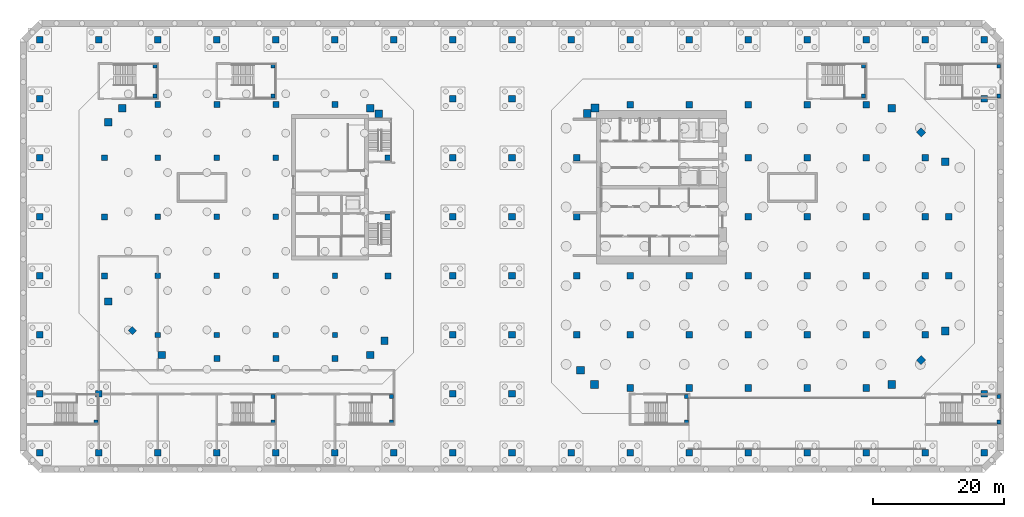
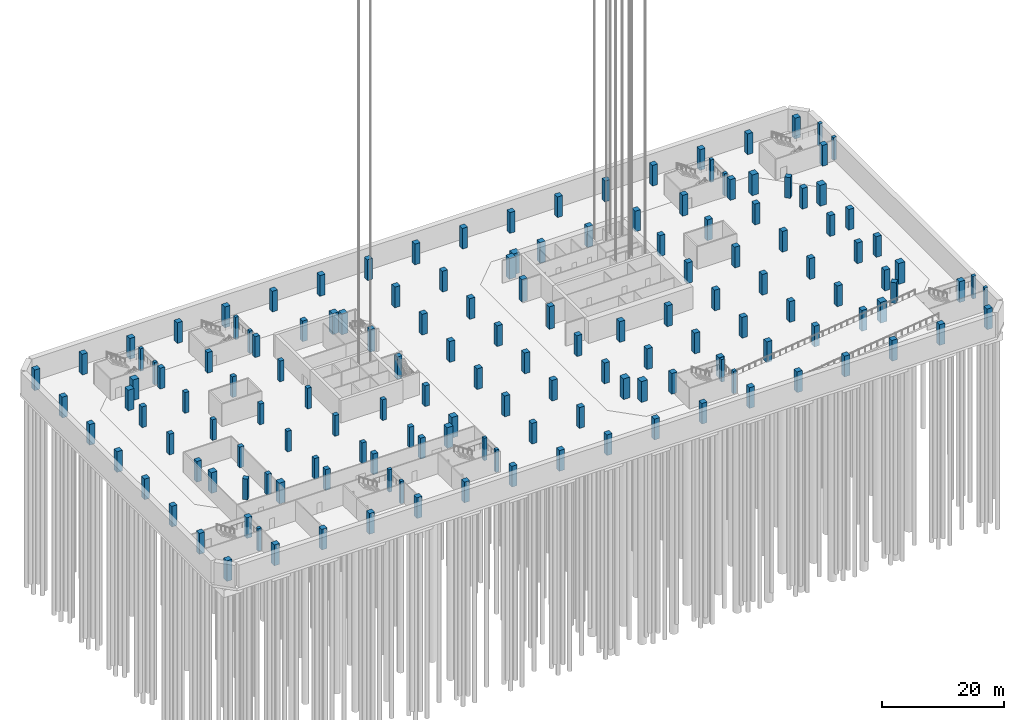
# One storey, part 3 of 30: 154 columns.
"""IFC4 building model written with IfcOpenShell, lengths in metres."""

from ifc_helpers import new_model, si_unit, direction, frame, origin, origin_2d, place, context, subcontext, project, spatial, rectangle, extrude, material, material_profile, profile_set, type_object, element, save


model = new_model("IFC4")

# Units and contexts
model_context = context("Model", 3, precision=1e-05, world=origin(), true_north=direction((0.0, 1.0)))
body_context = subcontext(model_context, "Body", "Model", "MODEL_VIEW")
ifc_project = project(units=[si_unit("LENGTHUNIT", "METRE"), si_unit("AREAUNIT", "SQUARE_METRE"), si_unit("VOLUMEUNIT", "CUBIC_METRE"), si_unit("PLANEANGLEUNIT", "RADIAN"), si_unit("MASSUNIT", "GRAM", prefix="KILO")], contexts=[model_context])

# Site, building, storey
site_placement = place(None, origin())
site = spatial("IfcSite", under=ifc_project, at=site_placement, CompositionType="ELEMENT")
building_placement = place(site_placement, origin())
building = spatial("IfcBuilding", under=site, at=building_placement, Name="Cinnabar Reach Civic Tower", CompositionType="ELEMENT")
storey_placement = place(building_placement, frame((0.0, 0.0, -14.0)))
storey = spatial("IfcBuildingStorey", under=building, at=storey_placement, Name="B3", CompositionType="ELEMENT", Elevation=-14.0)

# Columns
ifc_material_1 = material(Name="Concrete C70", Category="concrete")
ifc_material_profile_1 = material_profile(ifc_material_1, rectangle(XDim=1.0, YDim=1.0, at=origin_2d()), Name="RC1000")
ifc_profile_set_1 = profile_set([ifc_material_profile_1], Name="Concrete C70")
column_type_1 = type_object("IfcColumnType", Name="RC1000 column R 240", PredefinedType="COLUMN", material=ifc_profile_set_1)
for number, where, z_axis, x_axis, name in (
    (1, (9.0, 0.9, 0.0), (0.0, 0.0, 1.0), (1.0, 0.0, 0.0), "Column T1-Z1-F0-1"),
    (2, (18.0, 0.9, 0.0), (0.0, 0.0, 1.0), (1.0, 0.0, 0.0), "Column T1-Z1-F0-2"),
    (3, (27.0, 0.9, 0.0), (0.0, 0.0, 1.0), (1.0, 0.0, 0.0), "Column T1-Z1-F0-3"),
    (4, (36.0, 0.9, 0.0), (0.0, 0.0, 1.0), (1.0, 0.0, 0.0), "Column T1-Z1-F0-4"),
    (5, (45.0, 0.9, 0.0), (0.0, 0.0, 1.0), (1.0, 0.0, 0.0), "Column T1-Z1-F0-5"),
    (6, (53.3636, 5.1364, 0.0), (0.0, 0.0, 1.0), (0.707106781187, 0.707106781187, 0.0), "Column T1-Z1-F1-M"),
    (7, (57.6, 18.0, 0.0), (0.0, 0.0, 1.0), (1.0, 0.0, 0.0), "Column T1-Z1-F2-2"),
    (8, (57.6, 27.0, 0.0), (0.0, 0.0, 1.0), (1.0, 0.0, 0.0), "Column T1-Z1-F2-3"),
    (9, (53.3636, 39.8636, 0.0), (0.0, 0.0, 1.0), (0.707106781187, 0.707106781187, 0.0), "Column T1-Z1-F3-M"),
    (10, (9.0, 44.1, 0.0), (0.0, 0.0, 1.0), (1.0, 0.0, 0.0), "Column T1-Z1-F4-1"),
    (11, (18.0, 44.1, 0.0), (0.0, 0.0, 1.0), (1.0, 0.0, 0.0), "Column T1-Z1-F4-2"),
    (12, (27.0, 44.1, 0.0), (0.0, 0.0, 1.0), (1.0, 0.0, 0.0), "Column T1-Z1-F4-3"),
    (13, (36.0, 44.1, 0.0), (0.0, 0.0, 1.0), (1.0, 0.0, 0.0), "Column T1-Z1-F4-4"),
    (14, (45.0, 44.1, 0.0), (0.0, 0.0, 1.0), (1.0, 0.0, 0.0), "Column T1-Z1-F4-5"),
    (15, (0.9, 9.0, 0.0), (0.0, 0.0, 1.0), (1.0, 0.0, 0.0), "Column T1-Z1-F6-1"),
    (16, (0.9, 18.0, 0.0), (0.0, 0.0, 1.0), (1.0, 0.0, 0.0), "Column T1-Z1-F6-2"),
):
    element("IfcColumn", number, at=place(storey_placement, frame(where, z_axis=z_axis, x_axis=x_axis)), inside=storey, type_object=column_type_1, Name=name, PredefinedType="COLUMN", context=body_context, shape_type="SweptSolid", body=[
        extrude(rectangle(XDim=1.0, YDim=1.0, at=origin_2d()), origin(), (0.0, 0.0, 1.0), 4.15),
    ])
for number, where, z_axis, x_axis, name in (
    (17, (0.9, 27.0, 0.0), (0.0, 0.0, 1.0), (1.0, 0.0, 0.0), "Column T1-Z1-F6-3"),
    (18, (0.9, 36.0, 0.0), (0.0, 0.0, 1.0), (1.0, 0.0, 0.0), "Column T1-Z1-F6-4"),
):
    element("IfcColumn", number, at=place(storey_placement, frame(where, z_axis=z_axis, x_axis=x_axis)), inside=storey, type_object=column_type_1, Name=name, PredefinedType="COLUMN", context=body_context, shape_type="SweptSolid", body=[
        extrude(rectangle(XDim=1.0, YDim=1.0, at=origin_2d()), origin(), (0.0, 0.0, 1.0), 4.5),
    ])
for number, where, z_axis, x_axis, name in (
    (19, (9.0, 9.0, 0.0), (0.0, 0.0, 1.0), (1.0, 0.0, 0.0), "Column T1-Z1-I9_9"),
    (20, (9.0, 18.0, 0.0), (0.0, 0.0, 1.0), (1.0, 0.0, 0.0), "Column T1-Z1-I9_18"),
    (21, (18.0, 9.0, 0.0), (0.0, 0.0, 1.0), (1.0, 0.0, 0.0), "Column T1-Z1-I18_9"),
    (22, (18.0, 18.0, 0.0), (0.0, 0.0, 1.0), (1.0, 0.0, 0.0), "Column T1-Z1-I18_18"),
    (23, (27.0, 9.0, 0.0), (0.0, 0.0, 1.0), (1.0, 0.0, 0.0), "Column T1-Z1-I27_9"),
    (24, (27.0, 18.0, 0.0), (0.0, 0.0, 1.0), (1.0, 0.0, 0.0), "Column T1-Z1-I27_18"),
    (25, (27.0, 27.0, 0.0), (0.0, 0.0, 1.0), (1.0, 0.0, 0.0), "Column T1-Z1-I27_27"),
    (26, (27.0, 36.0, 0.0), (0.0, 0.0, 1.0), (1.0, 0.0, 0.0), "Column T1-Z1-I27_36"),
    (27, (36.0, 9.0, 0.0), (0.0, 0.0, 1.0), (1.0, 0.0, 0.0), "Column T1-Z1-I36_9"),
    (28, (36.0, 18.0, 0.0), (0.0, 0.0, 1.0), (1.0, 0.0, 0.0), "Column T1-Z1-I36_18"),
    (29, (36.0, 27.0, 0.0), (0.0, 0.0, 1.0), (1.0, 0.0, 0.0), "Column T1-Z1-I36_27"),
    (30, (36.0, 36.0, 0.0), (0.0, 0.0, 1.0), (1.0, 0.0, 0.0), "Column T1-Z1-I36_36"),
    (31, (45.0, 9.0, 0.0), (0.0, 0.0, 1.0), (1.0, 0.0, 0.0), "Column T1-Z1-I45_9"),
    (32, (45.0, 18.0, 0.0), (0.0, 0.0, 1.0), (1.0, 0.0, 0.0), "Column T1-Z1-I45_18"),
    (33, (45.0, 27.0, 0.0), (0.0, 0.0, 1.0), (1.0, 0.0, 0.0), "Column T1-Z1-I45_27"),
    (34, (45.0, 36.0, 0.0), (0.0, 0.0, 1.0), (1.0, 0.0, 0.0), "Column T1-Z1-I45_36"),
    (35, (54.0, 9.0, 0.0), (0.0, 0.0, 1.0), (1.0, 0.0, 0.0), "Column T1-Z1-I54_9"),
    (36, (54.0, 18.0, 0.0), (0.0, 0.0, 1.0), (1.0, 0.0, 0.0), "Column T1-Z1-I54_18"),
    (37, (54.0, 27.0, 0.0), (0.0, 0.0, 1.0), (1.0, 0.0, 0.0), "Column T1-Z1-I54_27"),
    (38, (54.0, 36.0, 0.0), (0.0, 0.0, 1.0), (1.0, 0.0, 0.0), "Column T1-Z1-I54_36"),
    (39, (-81.0, -9.0, 0.0), (0.0, 0.0, 1.0), (1.0, 0.0, 0.0), "Column -81/-9 B3"),
    (40, (-81.0, 0.0, 0.0), (0.0, 0.0, 1.0), (1.0, 0.0, 0.0), "Column -81/0 B3"),
    (41, (-81.0, 9.0, 0.0), (0.0, 0.0, 1.0), (1.0, 0.0, 0.0), "Column -81/9 B3"),
    (42, (-81.0, 18.0, 0.0), (0.0, 0.0, 1.0), (1.0, 0.0, 0.0), "Column -81/18 B3"),
    (43, (-81.0, 27.0, 0.0), (0.0, 0.0, 1.0), (1.0, 0.0, 0.0), "Column -81/27 B3"),
    (44, (-81.0, 36.0, 0.0), (0.0, 0.0, 1.0), (1.0, 0.0, 0.0), "Column -81/36 B3"),
    (45, (-81.0, 45.0, 0.0), (0.0, 0.0, 1.0), (1.0, 0.0, 0.0), "Column -81/45 B3"),
    (46, (-81.0, 54.0, 0.0), (0.0, 0.0, 1.0), (1.0, 0.0, 0.0), "Column -81/54 B3"),
    (47, (-72.0, -9.0, 0.0), (0.0, 0.0, 1.0), (1.0, 0.0, 0.0), "Column -72/-9 B3"),
    (48, (-72.0, 0.0, 0.0), (0.0, 0.0, 1.0), (1.0, 0.0, 0.0), "Column -72/0 B3"),
    (49, (-72.0, 54.0, 0.0), (0.0, 0.0, 1.0), (1.0, 0.0, 0.0), "Column -72/54 B3"),
    (50, (-63.0, -9.0, 0.0), (0.0, 0.0, 1.0), (1.0, 0.0, 0.0), "Column -63/-9 B3"),
    (51, (-63.0, 54.0, 0.0), (0.0, 0.0, 1.0), (1.0, 0.0, 0.0), "Column -63/54 B3"),
    (52, (-54.0, -9.0, 0.0), (0.0, 0.0, 1.0), (1.0, 0.0, 0.0), "Column -54/-9 B3"),
    (53, (-54.0, 54.0, 0.0), (0.0, 0.0, 1.0), (1.0, 0.0, 0.0), "Column -54/54 B3"),
    (54, (-45.0, -9.0, 0.0), (0.0, 0.0, 1.0), (1.0, 0.0, 0.0), "Column -45/-9 B3"),
    (55, (-45.0, 54.0, 0.0), (0.0, 0.0, 1.0), (1.0, 0.0, 0.0), "Column -45/54 B3"),
    (56, (-36.0, -9.0, 0.0), (0.0, 0.0, 1.0), (1.0, 0.0, 0.0), "Column -36/-9 B3"),
    (57, (-36.0, 54.0, 0.0), (0.0, 0.0, 1.0), (1.0, 0.0, 0.0), "Column -36/54 B3"),
    (58, (-27.0, -9.0, 0.0), (0.0, 0.0, 1.0), (1.0, 0.0, 0.0), "Column -27/-9 B3"),
    (59, (-27.0, 54.0, 0.0), (0.0, 0.0, 1.0), (1.0, 0.0, 0.0), "Column -27/54 B3"),
    (60, (-18.0, -9.0, 0.0), (0.0, 0.0, 1.0), (1.0, 0.0, 0.0), "Column -18/-9 B3"),
    (61, (-18.0, 0.0, 0.0), (0.0, 0.0, 1.0), (1.0, 0.0, 0.0), "Column -18/0 B3"),
    (62, (-18.0, 9.0, 0.0), (0.0, 0.0, 1.0), (1.0, 0.0, 0.0), "Column -18/9 B3"),
    (63, (-18.0, 18.0, 0.0), (0.0, 0.0, 1.0), (1.0, 0.0, 0.0), "Column -18/18 B3"),
    (64, (-18.0, 27.0, 0.0), (0.0, 0.0, 1.0), (1.0, 0.0, 0.0), "Column -18/27 B3"),
    (65, (-18.0, 36.0, 0.0), (0.0, 0.0, 1.0), (1.0, 0.0, 0.0), "Column -18/36 B3"),
    (66, (-18.0, 45.0, 0.0), (0.0, 0.0, 1.0), (1.0, 0.0, 0.0), "Column -18/45 B3"),
    (67, (-18.0, 54.0, 0.0), (0.0, 0.0, 1.0), (1.0, 0.0, 0.0), "Column -18/54 B3"),
    (68, (-9.0, -9.0, 0.0), (0.0, 0.0, 1.0), (1.0, 0.0, 0.0), "Column -9/-9 B3"),
    (69, (-9.0, 0.0, 0.0), (0.0, 0.0, 1.0), (1.0, 0.0, 0.0), "Column -9/0 B3"),
    (70, (-9.0, 9.0, 0.0), (0.0, 0.0, 1.0), (1.0, 0.0, 0.0), "Column -9/9 B3"),
    (71, (-9.0, 18.0, 0.0), (0.0, 0.0, 1.0), (1.0, 0.0, 0.0), "Column -9/18 B3"),
    (72, (-9.0, 27.0, 0.0), (0.0, 0.0, 1.0), (1.0, 0.0, 0.0), "Column -9/27 B3"),
    (73, (-9.0, 36.0, 0.0), (0.0, 0.0, 1.0), (1.0, 0.0, 0.0), "Column -9/36 B3"),
    (74, (-9.0, 45.0, 0.0), (0.0, 0.0, 1.0), (1.0, 0.0, 0.0), "Column -9/45 B3"),
    (75, (-9.0, 54.0, 0.0), (0.0, 0.0, 1.0), (1.0, 0.0, 0.0), "Column -9/54 B3"),
    (76, (0.0, -9.0, 0.0), (0.0, 0.0, 1.0), (1.0, 0.0, 0.0), "Column 0/-9 B3"),
    (77, (0.0, 54.0, 0.0), (0.0, 0.0, 1.0), (1.0, 0.0, 0.0), "Column 0/54 B3"),
    (78, (9.0, -9.0, 0.0), (0.0, 0.0, 1.0), (1.0, 0.0, 0.0), "Column 9/-9 B3"),
    (79, (9.0, 54.0, 0.0), (0.0, 0.0, 1.0), (1.0, 0.0, 0.0), "Column 9/54 B3"),
    (80, (18.0, -9.0, 0.0), (0.0, 0.0, 1.0), (1.0, 0.0, 0.0), "Column 18/-9 B3"),
    (81, (18.0, 54.0, 0.0), (0.0, 0.0, 1.0), (1.0, 0.0, 0.0), "Column 18/54 B3"),
    (82, (27.0, -9.0, 0.0), (0.0, 0.0, 1.0), (1.0, 0.0, 0.0), "Column 27/-9 B3"),
    (83, (27.0, 54.0, 0.0), (0.0, 0.0, 1.0), (1.0, 0.0, 0.0), "Column 27/54 B3"),
    (84, (36.0, -9.0, 0.0), (0.0, 0.0, 1.0), (1.0, 0.0, 0.0), "Column 36/-9 B3"),
    (85, (36.0, 54.0, 0.0), (0.0, 0.0, 1.0), (1.0, 0.0, 0.0), "Column 36/54 B3"),
    (86, (45.0, -9.0, 0.0), (0.0, 0.0, 1.0), (1.0, 0.0, 0.0), "Column 45/-9 B3"),
    (87, (45.0, 54.0, 0.0), (0.0, 0.0, 1.0), (1.0, 0.0, 0.0), "Column 45/54 B3"),
    (88, (54.0, -9.0, 0.0), (0.0, 0.0, 1.0), (1.0, 0.0, 0.0), "Column 54/-9 B3"),
    (89, (54.0, 54.0, 0.0), (0.0, 0.0, 1.0), (1.0, 0.0, 0.0), "Column 54/54 B3"),
    (90, (63.0, -9.0, 0.0), (0.0, 0.0, 1.0), (1.0, 0.0, 0.0), "Column 63/-9 B3"),
    (91, (63.0, 0.0, 0.0), (0.0, 0.0, 1.0), (1.0, 0.0, 0.0), "Column 63/0 B3"),
    (92, (63.0, 45.0, 0.0), (0.0, 0.0, 1.0), (1.0, 0.0, 0.0), "Column 63/45 B3"),
    (93, (63.0, 54.0, 0.0), (0.0, 0.0, 1.0), (1.0, 0.0, 0.0), "Column 63/54 B3"),
):
    element("IfcColumn", number, at=place(storey_placement, frame(where, z_axis=z_axis, x_axis=x_axis)), inside=storey, type_object=column_type_1, Name=name, PredefinedType="COLUMN", context=body_context, shape_type="SweptSolid", body=[
        extrude(rectangle(XDim=1.0, YDim=1.0, at=origin_2d()), origin(), (0.0, 0.0, 1.0), 4.15),
    ])
ifc_material_2 = material(Name="Concrete C80", Category="concrete")
ifc_material_profile_2 = material_profile(ifc_material_2, rectangle(XDim=1.1, YDim=1.1, at=origin_2d()), Name="RC1100")
ifc_profile_set_2 = profile_set([ifc_material_profile_2], Name="Concrete C80")
column_type_2 = type_object("IfcColumnType", Name="RC1100 column R 180", PredefinedType="COLUMN", material=ifc_profile_set_2)
for number, where, z_axis, x_axis, name in (
    (94, (-62.3981, 5.9531, 0.0), (0.0, 0.0, 1.0), (1.0, 0.0, 0.0), "Column T2-Z1-CC0"),
    (95, (-30.6019, 5.9531, 0.0), (0.0, 0.0, 1.0), (1.0, 0.0, 0.0), "Column T2-Z1-CC1"),
    (96, (-28.4531, 8.1019, 0.0), (0.0, 0.0, 1.0), (1.0, 0.0, 0.0), "Column T2-Z1-CC2"),
    (97, (-29.3131, 42.7, 0.0), (0.0, 0.0, 1.0), (1.0, 0.0, 0.0), "Column T2-Z1-CC3"),
    (98, (-30.6019, 43.5469, 0.0), (0.0, 0.0, 1.0), (1.0, 0.0, 0.0), "Column T2-Z1-CC4"),
    (99, (-68.3981, 43.5469, 0.0), (0.0, 0.0, 1.0), (1.0, 0.0, 0.0), "Column T2-Z1-CC5"),
    (100, (-70.5469, 41.3981, 0.0), (0.0, 0.0, 1.0), (1.0, 0.0, 0.0), "Column T2-Z1-CC6"),
    (101, (-70.5469, 14.1019, 0.0), (0.0, 0.0, 1.0), (1.0, 0.0, 0.0), "Column T2-Z1-CC7"),
):
    element("IfcColumn", number, at=place(storey_placement, frame(where, z_axis=z_axis, x_axis=x_axis)), inside=storey, type_object=column_type_2, Name=name, PredefinedType="COLUMN", context=body_context, shape_type="SweptSolid", body=[
        extrude(rectangle(XDim=1.1, YDim=1.1, at=origin_2d()), origin(), (0.0, 0.0, 1.0), 4.15),
    ])
ifc_material_profile_3 = material_profile(ifc_material_2, rectangle(XDim=1.2, YDim=1.2, at=origin_2d()), Name="RC1200")
ifc_profile_set_3 = profile_set([ifc_material_profile_3], Name="Concrete C80")
column_type_3 = type_object("IfcColumnType", Name="RC1200 column R 240", PredefinedType="COLUMN", material=ifc_profile_set_3)
for number, where, z_axis, x_axis, name in (
    (102, (3.6019, 1.4531, 0.0), (0.0, 0.0, 1.0), (1.0, 0.0, 0.0), "Column T1-Z1-CC0"),
    (103, (48.8981, 1.4531, 0.0), (0.0, 0.0, 1.0), (1.0, 0.0, 0.0), "Column T1-Z1-CC1"),
    (104, (57.0469, 9.6019, 0.0), (0.0, 0.0, 1.0), (1.0, 0.0, 0.0), "Column T1-Z1-CC2"),
    (105, (57.0469, 35.3981, 0.0), (0.0, 0.0, 1.0), (1.0, 0.0, 0.0), "Column T1-Z1-CC3"),
    (106, (48.8981, 43.5469, 0.0), (0.0, 0.0, 1.0), (1.0, 0.0, 0.0), "Column T1-Z1-CC4"),
    (107, (3.6666, 43.5737, 0.0), (0.0, 0.0, 1.0), (1.0, 0.0, 0.0), "Column T1-Z1-CC5"),
    (108, (2.4631, 42.75, 0.0), (0.0, 0.0, 1.0), (1.0, 0.0, 0.0), "Column T1-Z1-CC6"),
    (109, (1.4531, 3.6019, 0.0), (0.0, 0.0, 1.0), (1.0, 0.0, 0.0), "Column T1-Z1-CC7"),
):
    element("IfcColumn", number, at=place(storey_placement, frame(where, z_axis=z_axis, x_axis=x_axis)), inside=storey, type_object=column_type_3, Name=name, PredefinedType="COLUMN", context=body_context, shape_type="SweptSolid", body=[
        extrude(rectangle(XDim=1.2, YDim=1.2, at=origin_2d()), origin(), (0.0, 0.0, 1.0), 4.15),
    ])
ifc_material_3 = material(Name="Concrete C60", Category="concrete")
ifc_material_profile_4 = material_profile(ifc_material_3, rectangle(XDim=0.6, YDim=0.6, at=origin_2d()), Name="RC600")
ifc_profile_set_4 = profile_set([ifc_material_profile_4], Name="Concrete C60")
column_type_4 = type_object("IfcColumnType", Name="RC600 landing post R 240", PredefinedType="COLUMN", material=ifc_profile_set_4)
for number, where, z_axis, x_axis, name in (
    (110, (-72.4, -4.25, 0.0), (0.0, 0.0, 1.0), (1.0, 0.0, 0.0), "Landing post PS1 B3 1"),
    (111, (-63.4, 49.95, 0.0), (0.0, 0.0, 1.0), (1.0, 0.0, 0.0), "Landing post PS2 B3 1"),
    (112, (-63.4, 45.4, 0.0), (0.0, 0.0, 1.0), (1.0, 0.0, 0.0), "Landing post PS2 B3 2"),
    (113, (17.6, -4.25, 0.0), (0.0, 0.0, 1.0), (1.0, 0.0, 0.0), "Landing post PS3 B3 1"),
    (114, (17.6, -0.4, 0.0), (0.0, 0.0, 1.0), (1.0, 0.0, 0.0), "Landing post PS3 B3 2"),
    (115, (65.2, -4.25, 0.0), (0.0, 0.0, 1.0), (1.0, 0.0, 0.0), "Landing post PS4 B3 1"),
    (116, (65.2, -0.4, 0.0), (0.0, 0.0, 1.0), (1.0, 0.0, 0.0), "Landing post PS4 B3 2"),
    (117, (65.2, 49.95, 0.0), (0.0, 0.0, 1.0), (1.0, 0.0, 0.0), "Landing post PS5 B3 1"),
    (118, (65.2, 45.4, 0.0), (0.0, 0.0, 1.0), (1.0, 0.0, 0.0), "Landing post PS5 B3 2"),
    (119, (44.6, 49.95, 0.0), (0.0, 0.0, 1.0), (1.0, 0.0, 0.0), "Landing post PS6 B3 1"),
    (120, (44.6, 45.4, 0.0), (0.0, 0.0, 1.0), (1.0, 0.0, 0.0), "Landing post PS6 B3 2"),
    (121, (-45.4, 49.95, 0.0), (0.0, 0.0, 1.0), (1.0, 0.0, 0.0), "Landing post PS7 B3 1"),
    (122, (-45.4, 45.4, 0.0), (0.0, 0.0, 1.0), (1.0, 0.0, 0.0), "Landing post PS7 B3 2"),
    (123, (-45.4, -4.25, 0.0), (0.0, 0.0, 1.0), (1.0, 0.0, 0.0), "Landing post PS8 B3 1"),
    (124, (-45.4, -0.4, 0.0), (0.0, 0.0, 1.0), (1.0, 0.0, 0.0), "Landing post PS8 B3 2"),
    (125, (-27.4, -4.25, 0.0), (0.0, 0.0, 1.0), (1.0, 0.0, 0.0), "Landing post PS9 B3 1"),
    (126, (-27.4, -0.4, 0.0), (0.0, 0.0, 1.0), (1.0, 0.0, 0.0), "Landing post PS9 B3 2"),
):
    element("IfcColumn", number, at=place(storey_placement, frame(where, z_axis=z_axis, x_axis=x_axis)), inside=storey, type_object=column_type_4, Name=name, PredefinedType="COLUMN", context=body_context, shape_type="SweptSolid", body=[
        extrude(rectangle(XDim=0.6, YDim=0.6, at=origin_2d()), origin(), (0.0, 0.0, 1.0), 4.5),
    ])
ifc_material_profile_5 = material_profile(ifc_material_3, rectangle(XDim=0.8, YDim=0.8, at=origin_2d()), Name="RC800")
ifc_profile_set_5 = profile_set([ifc_material_profile_5], Name="Concrete C60")
column_type_5 = type_object("IfcColumnType", Name="RC800 column R 180", PredefinedType="COLUMN", material=ifc_profile_set_5)
for number, where, z_axis, x_axis, name in (
    (127, (-63.0, 9.0, 0.0), (0.0, 0.0, 1.0), (1.0, 0.0, 0.0), "Column T2-Z1-I-63_9"),
    (128, (-63.0, 18.0, 0.0), (0.0, 0.0, 1.0), (1.0, 0.0, 0.0), "Column T2-Z1-I-63_18"),
    (129, (-63.0, 27.0, 0.0), (0.0, 0.0, 1.0), (1.0, 0.0, 0.0), "Column T2-Z1-I-63_27"),
    (130, (-63.0, 36.0, 0.0), (0.0, 0.0, 1.0), (1.0, 0.0, 0.0), "Column T2-Z1-I-63_36"),
    (131, (-54.0, 9.0, 0.0), (0.0, 0.0, 1.0), (1.0, 0.0, 0.0), "Column T2-Z1-I-54_9"),
    (132, (-54.0, 18.0, 0.0), (0.0, 0.0, 1.0), (1.0, 0.0, 0.0), "Column T2-Z1-I-54_18"),
    (133, (-54.0, 27.0, 0.0), (0.0, 0.0, 1.0), (1.0, 0.0, 0.0), "Column T2-Z1-I-54_27"),
    (134, (-54.0, 36.0, 0.0), (0.0, 0.0, 1.0), (1.0, 0.0, 0.0), "Column T2-Z1-I-54_36"),
    (135, (-45.0, 9.0, 0.0), (0.0, 0.0, 1.0), (1.0, 0.0, 0.0), "Column T2-Z1-I-45_9"),
    (136, (-45.0, 18.0, 0.0), (0.0, 0.0, 1.0), (1.0, 0.0, 0.0), "Column T2-Z1-I-45_18"),
    (137, (-45.0, 27.0, 0.0), (0.0, 0.0, 1.0), (1.0, 0.0, 0.0), "Column T2-Z1-I-45_27"),
    (138, (-45.0, 36.0, 0.0), (0.0, 0.0, 1.0), (1.0, 0.0, 0.0), "Column T2-Z1-I-45_36"),
    (139, (-36.0, 9.0, 0.0), (0.0, 0.0, 1.0), (1.0, 0.0, 0.0), "Column T2-Z1-I-36_9"),
    (140, (-36.0, 18.0, 0.0), (0.0, 0.0, 1.0), (1.0, 0.0, 0.0), "Column T2-Z1-I-36_18"),
):
    element("IfcColumn", number, at=place(storey_placement, frame(where, z_axis=z_axis, x_axis=x_axis)), inside=storey, type_object=column_type_5, Name=name, PredefinedType="COLUMN", context=body_context, shape_type="SweptSolid", body=[
        extrude(rectangle(XDim=0.8, YDim=0.8, at=origin_2d()), origin(), (0.0, 0.0, 1.0), 4.15),
    ])
ifc_material_profile_6 = material_profile(ifc_material_1, rectangle(XDim=0.9, YDim=0.9, at=origin_2d()), Name="RC900")
ifc_profile_set_6 = profile_set([ifc_material_profile_6], Name="Concrete C70")
column_type_6 = type_object("IfcColumnType", Name="RC900 column R 180", PredefinedType="COLUMN", material=ifc_profile_set_6)
for number, where, z_axis, x_axis, name in (
    (141, (-54.0, 5.4, 0.0), (0.0, 0.0, 1.0), (1.0, 0.0, 0.0), "Column T2-Z1-F0--6"),
    (142, (-45.0, 5.4, 0.0), (0.0, 0.0, 1.0), (1.0, 0.0, 0.0), "Column T2-Z1-F0--5"),
    (143, (-36.0, 5.4, 0.0), (0.0, 0.0, 1.0), (1.0, 0.0, 0.0), "Column T2-Z1-F0--4"),
    (144, (-27.9, 18.0, 0.0), (0.0, 0.0, 1.0), (1.0, 0.0, 0.0), "Column T2-Z1-F2-2"),
):
    element("IfcColumn", number, at=place(storey_placement, frame(where, z_axis=z_axis, x_axis=x_axis)), inside=storey, type_object=column_type_6, Name=name, PredefinedType="COLUMN", context=body_context, shape_type="SweptSolid", body=[
        extrude(rectangle(XDim=0.9, YDim=0.9, at=origin_2d()), origin(), (0.0, 0.0, 1.0), 4.15),
    ])
for number, where, z_axis, x_axis, name in (
    (145, (-27.9, 27.0, 0.0), (0.0, 0.0, 1.0), (1.0, 0.0, 0.0), "Column T2-Z1-F2-3"),
    (146, (-27.9, 36.0, 0.0), (0.0, 0.0, 1.0), (1.0, 0.0, 0.0), "Column T2-Z1-F2-4"),
):
    element("IfcColumn", number, at=place(storey_placement, frame(where, z_axis=z_axis, x_axis=x_axis)), inside=storey, type_object=column_type_6, Name=name, PredefinedType="COLUMN", context=body_context, shape_type="SweptSolid", body=[
        extrude(rectangle(XDim=0.9, YDim=0.9, at=origin_2d()), origin(), (0.0, 0.0, 1.0), 4.5),
    ])
for number, where, z_axis, x_axis, name in (
    (147, (-63.0, 44.1, 0.0), (0.0, 0.0, 1.0), (1.0, 0.0, 0.0), "Column T2-Z1-F4--7"),
    (148, (-54.0, 44.1, 0.0), (0.0, 0.0, 1.0), (1.0, 0.0, 0.0), "Column T2-Z1-F4--6"),
    (149, (-45.0, 44.1, 0.0), (0.0, 0.0, 1.0), (1.0, 0.0, 0.0), "Column T2-Z1-F4--5"),
    (150, (-36.0, 44.1, 0.0), (0.0, 0.0, 1.0), (1.0, 0.0, 0.0), "Column T2-Z1-F4--4"),
    (151, (-71.1, 18.0, 0.0), (0.0, 0.0, 1.0), (1.0, 0.0, 0.0), "Column T2-Z1-F6-2"),
    (152, (-71.1, 27.0, 0.0), (0.0, 0.0, 1.0), (1.0, 0.0, 0.0), "Column T2-Z1-F6-3"),
    (153, (-71.1, 36.0, 0.0), (0.0, 0.0, 1.0), (1.0, 0.0, 0.0), "Column T2-Z1-F6-4"),
    (154, (-66.8636, 9.6364, 0.0), (0.0, 0.0, 1.0), (0.707106781187, 0.707106781187, 0.0), "Column T2-Z1-F7-M"),
):
    element("IfcColumn", number, at=place(storey_placement, frame(where, z_axis=z_axis, x_axis=x_axis)), inside=storey, type_object=column_type_6, Name=name, PredefinedType="COLUMN", context=body_context, shape_type="SweptSolid", body=[
        extrude(rectangle(XDim=0.9, YDim=0.9, at=origin_2d()), origin(), (0.0, 0.0, 1.0), 4.15),
    ])

save(model, "model.ifc")
